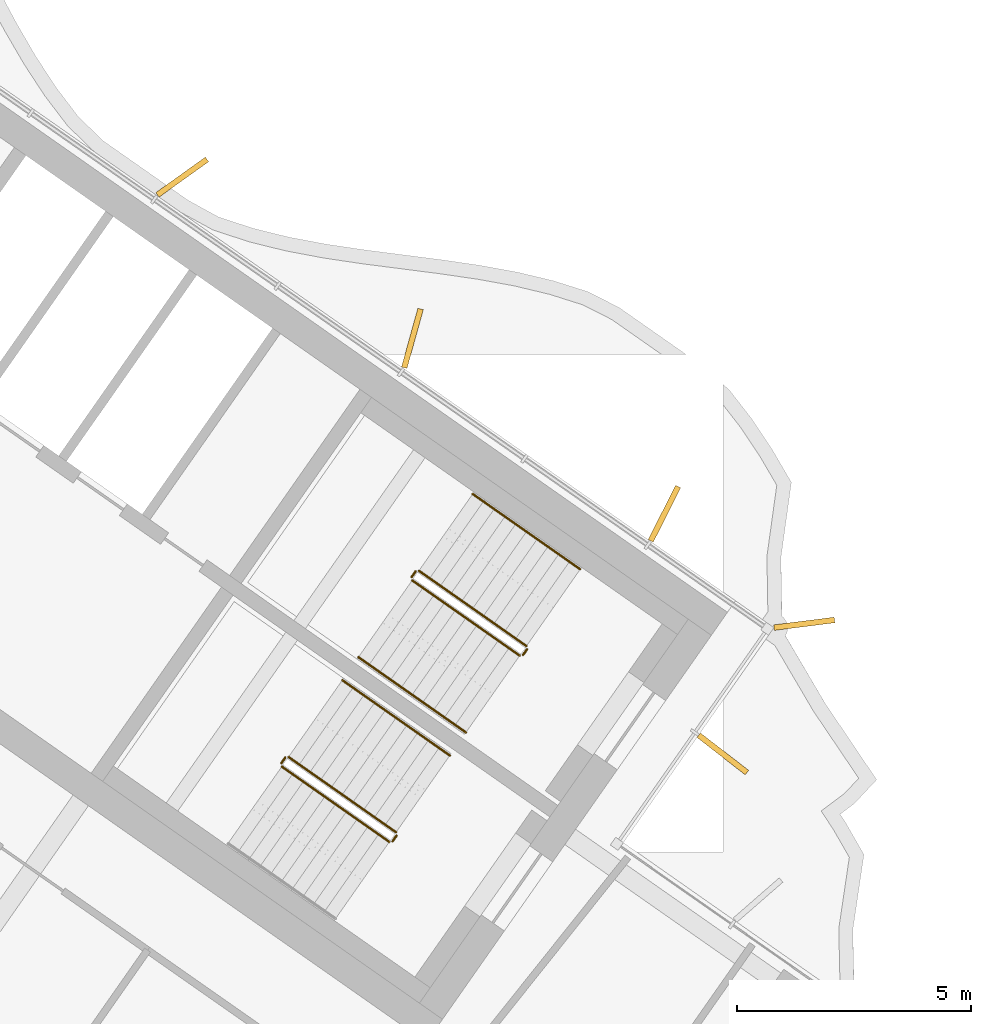
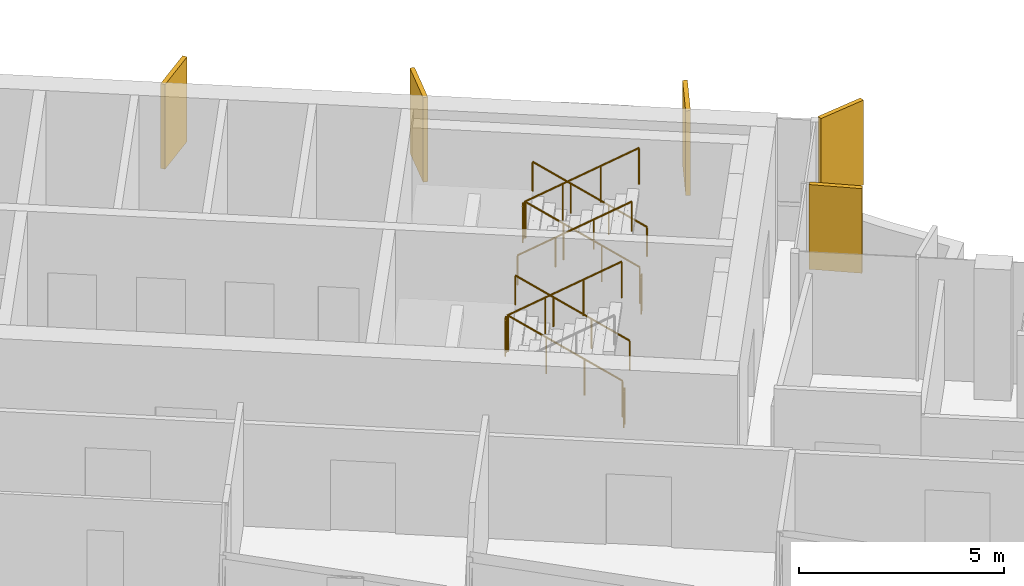
# One storey, part 17 of 18: 11 railings, 5 shading devices.
"""IFC4 building model written with IfcOpenShell, lengths in metres."""

from ifc_helpers import new_model, si_unit, direction, frame, origin, origin_2d, place, context, subcontext, project, spatial, rectangle, circle, extrude, material, layer, layer_set, type_object, element, save


model = new_model("IFC4")

# Units and contexts
model_context = context("Model", 3, precision=1e-05, world=origin(), true_north=direction((0.0, 1.0)))
body_context = subcontext(model_context, "Body", "Model", "MODEL_VIEW")
ifc_project = project(units=[si_unit("LENGTHUNIT", "METRE"), si_unit("AREAUNIT", "SQUARE_METRE"), si_unit("VOLUMEUNIT", "CUBIC_METRE"), si_unit("PLANEANGLEUNIT", "RADIAN"), si_unit("MASSUNIT", "GRAM", prefix="KILO")], contexts=[model_context])

# Site, building, storey
site_placement = place(None, origin())
site = spatial("IfcSite", under=ifc_project, at=site_placement, CompositionType="ELEMENT")
building_placement = place(site_placement, origin())
building = spatial("IfcBuilding", under=site, at=building_placement, Name="Tel Ilan Convention Tower", CompositionType="ELEMENT")
storey_placement = place(building_placement, frame((0.0, 0.0, 260.5)))
storey = spatial("IfcBuildingStorey", under=building, at=storey_placement, Name="L61", CompositionType="ELEMENT", Elevation=260.5)

# Shading devices
ifc_material_1 = material(Name="Aluminium, bronze anodised", Category="aluminium")
ifc_layer = layer(ifc_material_1, 0.1201171875)
ifc_layer_set = layer_set([ifc_layer], Name="FIN BRONZE 1300x120")
shading_device_type = type_object("IfcShadingDeviceType", Name="FIN BRONZE 1300x120", PredefinedType="USERDEFINED", material=ifc_layer_set)
for number, where, z_axis, x_axis, name in (
    (1, (27.868408203125, -10.15234375, 1.10009765625), (0.0, 0.0, 1.0), (0.790392669516, -0.612600545196, 0.0), "FIN"),
    (2, (29.60595703125, -7.376953125, 1.10009765625), (0.0, 0.0, 1.0), (0.992066016082, 0.125718016748, 0.0), "FIN"),
    (3, (26.62255859375, -5.028076171875, 1.10009765625), (0.0, 0.0, 1.0), (0.448799180206, 0.893632640321, 0.0), "FIN"),
    (4, (21.246337890625, -1.286865234375, 1.10009765625), (0.0, 0.0, 1.0), (0.268172612768, 0.963370878614, 0.0), "FIN"),
    (5, (16.335693359375, 2.15185546875, 1.10009765625), (0.0, 0.0, 1.0), (0.813552070258, 0.581492071294, 0.0), "FIN"),
):
    element("IfcShadingDevice", number, at=place(storey_placement, frame(where, z_axis=z_axis, x_axis=x_axis)), inside=storey, type_object=shading_device_type, Name=name, ObjectType="FIN", PredefinedType="USERDEFINED", context=body_context, shape_type="SweptSolid", body=[
        extrude(rectangle(XDim=1.300048828125, YDim=0.1201171875, at=origin_2d()), origin(), (0.0, 0.0, 1.0), 2.52001953125),
    ])

# Railings
ifc_material_2 = material(Name="Stainless Steel Grade 316", Category="steel")
railing_type_1 = type_object("IfcRailingType", Name="Stainless Steel Stair Guard 1100 mm", PredefinedType="GUARDRAIL", material=ifc_material_2)
railing_1_placement = place(storey_placement, frame((23.6787109375, -7.8515625, 0.17724609375)))
element("IfcRailing", 6, at=railing_1_placement, inside=storey, type_object=railing_type_1, Name="L61 S3 stair guard 1", PredefinedType="GUARDRAIL", context=body_context, shape_type="SweptSolid", body=[
    extrude(circle(Radius=0.02392578125, at=origin_2d()), frame((0.0, 0.0, 1.076171875), z_axis=(-0.692084706163, 0.484621375041, 0.534940073605), x_axis=(-0.573591086599, -0.819141785879, 0.0)), (0.0, 0.0, 1.0), 3.313720703125),
    extrude(circle(Radius=0.02099609375, at=origin_2d()), origin(), (0.0, 0.0, 1.0), 1.052001953125),
    extrude(circle(Radius=0.02099609375, at=origin_2d()), frame((-0.764404296875, 0.535400390625, 0.5908203125)), (0.0, 0.0, 1.0), 1.052001953125),
    extrude(circle(Radius=0.02099609375, at=origin_2d()), frame((-1.529052734375, 1.070556640625, 1.181884765625)), (0.0, 0.0, 1.0), 1.052001953125),
    extrude(circle(Radius=0.02099609375, at=origin_2d()), frame((-2.29345703125, 1.60595703125, 1.772705078125)), (0.0, 0.0, 1.0), 1.052001953125),
])
railing_2_placement = place(storey_placement, frame((21.3154296875, -6.2578125, 1.949951171875)))
element("IfcRailing", 7, at=railing_2_placement, inside=storey, type_object=railing_type_1, Name="L61 S3 stair guard 2", PredefinedType="GUARDRAIL", context=body_context, shape_type="SweptSolid", body=[
    extrude(circle(Radius=0.02392578125, at=origin_2d()), frame((0.0, 0.0, 1.076171875), z_axis=(-0.573353020881, -0.819308436089, 0.0), x_axis=(0.819308436089, -0.573353020881, 0.0)), (0.0, 0.0, 1.0), 0.14990234375),
    extrude(circle(Radius=0.02099609375, at=origin_2d()), origin(), (0.0, 0.0, 1.0), 1.052001953125),
    extrude(circle(Radius=0.02099609375, at=origin_2d()), frame((-0.0859375, -0.122802734375, 0.0)), (0.0, 0.0, 1.0), 1.052001953125),
])
railing_3_placement = place(storey_placement, frame((21.24169921875, -6.4501953125, 2.127197265625)))
element("IfcRailing", 8, at=railing_3_placement, inside=storey, type_object=railing_type_1, Name="L61 S3 stair guard 3", PredefinedType="GUARDRAIL", context=body_context, shape_type="SweptSolid", body=[
    extrude(circle(Radius=0.02392578125, at=origin_2d()), frame((0.0, 0.0, 1.076171875), z_axis=(0.692098378994, -0.484653031975, 0.534893701956), x_axis=(0.573608623498, 0.819129505664, 0.0)), (0.0, 0.0, 1.0), 3.314208984375),
    extrude(circle(Radius=0.02099609375, at=origin_2d()), origin(), (0.0, 0.0, 1.0), 1.052001953125),
    extrude(circle(Radius=0.02099609375, at=origin_2d()), frame((0.7646484375, -0.535400390625, 0.5908203125)), (0.0, 0.0, 1.0), 1.052001953125),
    extrude(circle(Radius=0.02099609375, at=origin_2d()), frame((1.529052734375, -1.07080078125, 1.181884765625)), (0.0, 0.0, 1.0), 1.052001953125),
    extrude(circle(Radius=0.02099609375, at=origin_2d()), frame((2.293701171875, -1.606201171875, 1.772705078125)), (0.0, 0.0, 1.0), 1.052001953125),
])
railing_4_placement = place(storey_placement, frame((23.691162109375, -7.921142578125, 0.0)))
element("IfcRailing", 9, at=railing_4_placement, inside=storey, type_object=railing_type_1, Name="L61 S3 stair guard 4", PredefinedType="GUARDRAIL", context=body_context, shape_type="SweptSolid", body=[
    extrude(circle(Radius=0.02392578125, at=origin_2d()), frame((0.0, 0.0, 1.076171875), z_axis=(-0.574444878118, -0.818543268254, 0.0), x_axis=(0.818543268254, -0.574444878118, 0.0)), (0.0, 0.0, 1.0), 0.150146484375),
    extrude(circle(Radius=0.02099609375, at=origin_2d()), origin(), (0.0, 0.0, 1.0), 1.052001953125),
    extrude(circle(Radius=0.02099609375, at=origin_2d()), frame((-0.086181640625, -0.122802734375, 0.0)), (0.0, 0.0, 1.0), 1.052001953125),
])
railing_5_placement = place(storey_placement, frame((20.89697265625, -11.824462890625, 0.17724609375)))
element("IfcRailing", 10, at=railing_5_placement, inside=storey, type_object=railing_type_1, Name="L61 S4 stair guard 1", PredefinedType="GUARDRAIL", context=body_context, shape_type="SweptSolid", body=[
    extrude(circle(Radius=0.02392578125, at=origin_2d()), frame((0.0, 0.0, 1.076171875), z_axis=(-0.692123088272, 0.484596665743, 0.534912798717), x_axis=(-0.573550118428, -0.819170471667, 0.0)), (0.0, 0.0, 1.0), 3.31396484375),
    extrude(circle(Radius=0.02099609375, at=origin_2d()), origin(), (0.0, 0.0, 1.0), 1.052001953125),
    extrude(circle(Radius=0.02099609375, at=origin_2d()), frame((-0.7646484375, 0.535400390625, 0.5908203125)), (0.0, 0.0, 1.0), 1.052001953125),
    extrude(circle(Radius=0.02099609375, at=origin_2d()), frame((-1.529052734375, 1.070556640625, 1.181884765625)), (0.0, 0.0, 1.0), 1.052001953125),
    extrude(circle(Radius=0.02099609375, at=origin_2d()), frame((-2.293701171875, 1.60595703125, 1.772705078125)), (0.0, 0.0, 1.0), 1.052001953125),
])
railing_6_placement = place(storey_placement, frame((18.53369140625, -10.230712890625, 1.949951171875)))
element("IfcRailing", 11, at=railing_6_placement, inside=storey, type_object=railing_type_1, Name="L61 S4 stair guard 2", PredefinedType="GUARDRAIL", context=body_context, shape_type="SweptSolid", body=[
    extrude(circle(Radius=0.02392578125, at=origin_2d()), frame((0.0, 0.0, 1.076171875), z_axis=(-0.573353020881, -0.819308436089, 0.0), x_axis=(0.819308436089, -0.573353020881, 0.0)), (0.0, 0.0, 1.0), 0.14990234375),
    extrude(circle(Radius=0.02099609375, at=origin_2d()), origin(), (0.0, 0.0, 1.0), 1.052001953125),
    extrude(circle(Radius=0.02099609375, at=origin_2d()), frame((-0.0859375, -0.122802734375, 0.0)), (0.0, 0.0, 1.0), 1.052001953125),
])
railing_7_placement = place(storey_placement, frame((18.4599609375, -10.423095703125, 2.127197265625)))
element("IfcRailing", 12, at=railing_7_placement, inside=storey, type_object=railing_type_1, Name="L61 S4 stair guard 3", PredefinedType="GUARDRAIL", context=body_context, shape_type="SweptSolid", body=[
    extrude(circle(Radius=0.02392578125, at=origin_2d()), frame((0.0, 0.0, 1.076171875), z_axis=(0.692098378994, -0.484653031975, 0.534893701956), x_axis=(0.573608623498, 0.819129505664, 0.0)), (0.0, 0.0, 1.0), 3.314208984375),
    extrude(circle(Radius=0.02099609375, at=origin_2d()), origin(), (0.0, 0.0, 1.0), 1.052001953125),
    extrude(circle(Radius=0.02099609375, at=origin_2d()), frame((0.7646484375, -0.535400390625, 0.5908203125)), (0.0, 0.0, 1.0), 1.052001953125),
    extrude(circle(Radius=0.02099609375, at=origin_2d()), frame((1.529052734375, -1.07080078125, 1.181884765625)), (0.0, 0.0, 1.0), 1.052001953125),
    extrude(circle(Radius=0.02099609375, at=origin_2d()), frame((2.293701171875, -1.606201171875, 1.772705078125)), (0.0, 0.0, 1.0), 1.052001953125),
])
railing_8_placement = place(storey_placement, frame((20.9091796875, -11.89404296875, 0.0)))
element("IfcRailing", 13, at=railing_8_placement, inside=storey, type_object=railing_type_1, Name="L61 S4 stair guard 4", PredefinedType="GUARDRAIL", context=body_context, shape_type="SweptSolid", body=[
    extrude(circle(Radius=0.02392578125, at=origin_2d()), frame((0.0, 0.0, 1.076171875), z_axis=(-0.573353020881, -0.819308436089, 0.0), x_axis=(0.819308436089, -0.573353020881, 0.0)), (0.0, 0.0, 1.0), 0.14990234375),
    extrude(circle(Radius=0.02099609375, at=origin_2d()), origin(), (0.0, 0.0, 1.0), 1.052001953125),
    extrude(circle(Radius=0.02099609375, at=origin_2d()), frame((-0.0859375, -0.122802734375, 0.0)), (0.0, 0.0, 1.0), 1.052001953125),
])
ifc_material_3 = material(Name="Stainless Steel Grade 316", Category="steel")
railing_type_2 = type_object("IfcRailingType", Name="Stainless Steel Stair Handrail 900 mm", PredefinedType="HANDRAIL", material=ifc_material_3)
railing_9_placement = place(storey_placement, frame((24.825927734375, -6.213134765625, 0.17724609375)))
element("IfcRailing", 14, at=railing_9_placement, inside=storey, type_object=railing_type_2, Name="L61 S3 stair handrail 1", PredefinedType="HANDRAIL", context=body_context, shape_type="SweptSolid", body=[
    extrude(circle(Radius=0.02392578125, at=origin_2d()), frame((0.0, 0.0, 0.8759765625), z_axis=(-0.692123088272, 0.484596665743, 0.534912798717), x_axis=(-0.573550118428, -0.819170471667, 0.0)), (0.0, 0.0, 1.0), 3.31396484375),
    extrude(circle(Radius=0.02099609375, at=origin_2d()), origin(), (0.0, 0.0, 1.0), 0.851806640625),
    extrude(circle(Radius=0.02099609375, at=origin_2d()), frame((-0.7646484375, 0.535400390625, 0.5908203125)), (0.0, 0.0, 1.0), 0.851806640625),
    extrude(circle(Radius=0.02099609375, at=origin_2d()), frame((-1.529052734375, 1.070556640625, 1.181884765625)), (0.0, 0.0, 1.0), 0.851806640625),
    extrude(circle(Radius=0.02099609375, at=origin_2d()), frame((-2.293701171875, 1.60595703125, 1.772705078125)), (0.0, 0.0, 1.0), 0.851806640625),
])
railing_10_placement = place(storey_placement, frame((20.0947265625, -8.088623046875, 2.127197265625)))
element("IfcRailing", 15, at=railing_10_placement, inside=storey, type_object=railing_type_2, Name="L61 S3 stair handrail 2", PredefinedType="HANDRAIL", context=body_context, shape_type="SweptSolid", body=[
    extrude(circle(Radius=0.02392578125, at=origin_2d()), frame((0.0, 0.0, 0.8759765625), z_axis=(0.692084706163, -0.484621375041, 0.534940073605), x_axis=(0.573591086599, 0.819141785879, 0.0)), (0.0, 0.0, 1.0), 3.313720703125),
    extrude(circle(Radius=0.02099609375, at=origin_2d()), origin(), (0.0, 0.0, 1.0), 0.851806640625),
    extrude(circle(Radius=0.02099609375, at=origin_2d()), frame((0.764404296875, -0.535400390625, 0.5908203125)), (0.0, 0.0, 1.0), 0.851806640625),
    extrude(circle(Radius=0.02099609375, at=origin_2d()), frame((1.529052734375, -1.070556640625, 1.181884765625)), (0.0, 0.0, 1.0), 0.851806640625),
    extrude(circle(Radius=0.02099609375, at=origin_2d()), frame((2.29345703125, -1.60595703125, 1.772705078125)), (0.0, 0.0, 1.0), 0.851806640625),
])
railing_11_placement = place(storey_placement, frame((22.044189453125, -10.18603515625, 0.17724609375)))
element("IfcRailing", 16, at=railing_11_placement, inside=storey, type_object=railing_type_2, Name="L61 S4 stair handrail 1", PredefinedType="HANDRAIL", context=body_context, shape_type="SweptSolid", body=[
    extrude(circle(Radius=0.02392578125, at=origin_2d()), frame((0.0, 0.0, 0.8759765625), z_axis=(-0.692123088272, 0.484596665743, 0.534912798717), x_axis=(-0.573550118428, -0.819170471667, 0.0)), (0.0, 0.0, 1.0), 3.31396484375),
    extrude(circle(Radius=0.02099609375, at=origin_2d()), origin(), (0.0, 0.0, 1.0), 0.851806640625),
    extrude(circle(Radius=0.02099609375, at=origin_2d()), frame((-0.7646484375, 0.535400390625, 0.5908203125)), (0.0, 0.0, 1.0), 0.851806640625),
    extrude(circle(Radius=0.02099609375, at=origin_2d()), frame((-1.529052734375, 1.070556640625, 1.181884765625)), (0.0, 0.0, 1.0), 0.851806640625),
    extrude(circle(Radius=0.02099609375, at=origin_2d()), frame((-2.293701171875, 1.60595703125, 1.772705078125)), (0.0, 0.0, 1.0), 0.851806640625),
])

save(model, "model.ifc")
